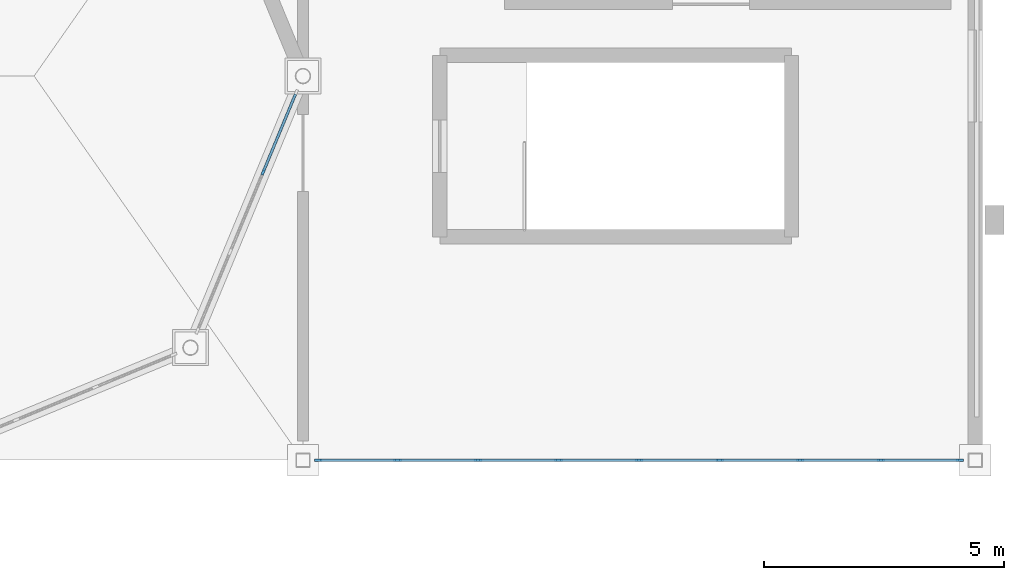
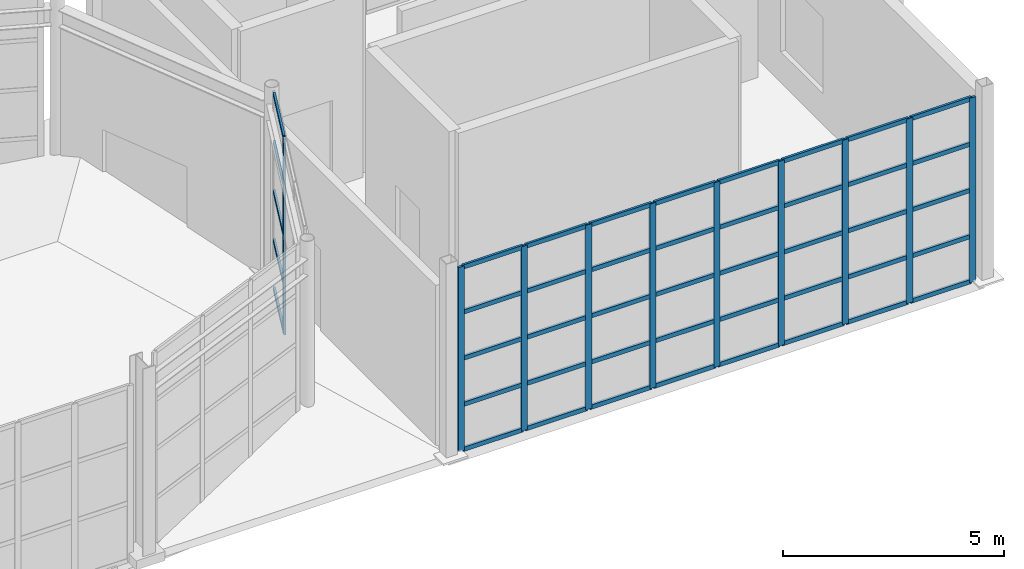
# One storey, part 43 of 82: 55 members, 2 elements without a shape of their own.
"""IFC4 building model written with IfcOpenShell, lengths in metres."""

from ifc_helpers import new_model, si_unit, direction, frame, origin, origin_2d, place, context, subcontext, project, spatial, rectangle, extrude, material, material_profile, profile_set, type_object, element, aggregate, save


model = new_model("IFC4")

# Units and contexts
model_context = context("Model", 3, precision=1e-05, world=origin(), true_north=direction((0.0, 1.0)))
body_context = subcontext(model_context, "Body", "Model", "MODEL_VIEW")
ifc_project = project(units=[si_unit("LENGTHUNIT", "METRE"), si_unit("AREAUNIT", "SQUARE_METRE"), si_unit("VOLUMEUNIT", "CUBIC_METRE"), si_unit("PLANEANGLEUNIT", "RADIAN"), si_unit("MASSUNIT", "GRAM", prefix="KILO")], contexts=[model_context])

# Site, building, storey
site_placement = place(None, origin())
site = spatial("IfcSite", under=ifc_project, at=site_placement, CompositionType="ELEMENT")
building_placement = place(site_placement, origin())
building = spatial("IfcBuilding", under=site, at=building_placement, Name="Serraluz Foothill Cableway Terminal", CompositionType="ELEMENT")
storey_placement = place(building_placement, frame((0.0, 0.0, 9.60009765625)))
storey = spatial("IfcBuildingStorey", under=building, at=storey_placement, Name="L02", CompositionType="ELEMENT", Elevation=9.60009765625)

# Curtain wall, member
ifc_material_1 = material(Name="Architectural bronze alloy C28000", Category="aluminium")
curtain_wall_type_1 = type_object("IfcCurtainWallType", Name="TYP-CW-440X360", PredefinedType="NOTDEFINED", material=ifc_material_1)
curtain_wall_1_placement = place(storey_placement, origin())
curtain_wall_1 = element("IfcCurtainWall", 1, at=curtain_wall_1_placement, inside=storey, type_object=curtain_wall_type_1, Name="Ribbed Glazed Curtain Wall CW-V1-E-L02-3", PredefinedType="NOTDEFINED")
ifc_material_2 = material(Name="Extruded aluminium 6063-T6", Category="aluminium")
ifc_material_profile_1 = material_profile(ifc_material_2, rectangle(XDim=0.054931640625, YDim=0.139892578125, at=origin_2d()), Name="ALU MULLION 55x140")
ifc_profile_set_1 = profile_set([ifc_material_profile_1], Name="Extruded aluminium 6063-T6")
member_type_1 = type_object("IfcMemberType", Name="TYP-CW-MUL-55X140", PredefinedType="MULLION", material=ifc_profile_set_1)
member_1_placement = place(storey_placement, frame((159.174072265625, 62.006103515625, 0.0), z_axis=(0.0, 0.0, 1.0), x_axis=(0.923878982655, -0.382684759834, 0.0)))
member_1 = element("IfcMember", 2, at=member_1_placement, type_object=member_type_1, Name="CW-16 mullion 2", PredefinedType="MULLION", context=body_context, shape_type="SweptSolid", body=[
    extrude(rectangle(XDim=0.054931640625, YDim=0.139892578125, at=origin_2d()), origin(), (0.0, 0.0, 1.0), 5.419921875),
])

# Curtain wall, members
curtain_wall_type_2 = type_object("IfcCurtainWallType", Name="TYP-CW-1280X440", PredefinedType="NOTDEFINED", material=ifc_material_1)
curtain_wall_2_placement = place(storey_placement, origin())
curtain_wall_2 = element("IfcCurtainWall", 3, at=curtain_wall_2_placement, inside=storey, type_object=curtain_wall_type_2, Name="Ribbed Glazed Curtain Wall CW-V2S-L02", PredefinedType="NOTDEFINED")
ifc_material_profile_2 = material_profile(ifc_material_1, rectangle(XDim=0.06005859375, YDim=0.159912109375, at=origin_2d()), Name="ALU MULLION 60x160")
ifc_profile_set_2 = profile_set([ifc_material_profile_2], Name="Architectural bronze alloy C28000")
member_type_2 = type_object("IfcMemberType", Name="TYP-CW-MUL-60X160", PredefinedType="MULLION", material=ifc_profile_set_2)
member_2_placement = place(storey_placement, frame((173.679931640625, 56.0, 0.0), z_axis=(0.0, 0.0, 1.0), x_axis=(0.0, -1.0, 0.0)))
member_2 = element("IfcMember", 4, at=member_2_placement, type_object=member_type_2, Name="CW-22 mullion 1", PredefinedType="MULLION", context=body_context, shape_type="SweptSolid", body=[
    extrude(rectangle(XDim=0.06005859375, YDim=0.159912109375, at=origin_2d()), origin(), (0.0, 0.0, 1.0), 5.099853515625),
])
member_3_placement = place(storey_placement, frame((172.032470703125, 56.0, 0.0), z_axis=(0.0, 0.0, 1.0), x_axis=(0.0, -1.0, 0.0)))
member_3 = element("IfcMember", 5, at=member_3_placement, type_object=member_type_2, Name="CW-22 mullion 2", PredefinedType="MULLION", context=body_context, shape_type="SweptSolid", body=[
    extrude(rectangle(XDim=0.06005859375, YDim=0.159912109375, at=origin_2d()), origin(), (0.0, 0.0, 1.0), 5.099853515625),
])
member_4_placement = place(storey_placement, frame((170.35498046875, 56.0, 0.0), z_axis=(0.0, 0.0, 1.0), x_axis=(0.0, -1.0, 0.0)))
member_4 = element("IfcMember", 6, at=member_4_placement, type_object=member_type_2, Name="CW-22 mullion 3", PredefinedType="MULLION", context=body_context, shape_type="SweptSolid", body=[
    extrude(rectangle(XDim=0.06005859375, YDim=0.159912109375, at=origin_2d()), origin(), (0.0, 0.0, 1.0), 5.099853515625),
])
member_5_placement = place(storey_placement, frame((168.677490234375, 56.0, 0.0), z_axis=(0.0, 0.0, 1.0), x_axis=(0.0, -1.0, 0.0)))
member_5 = element("IfcMember", 7, at=member_5_placement, type_object=member_type_2, Name="CW-22 mullion 4", PredefinedType="MULLION", context=body_context, shape_type="SweptSolid", body=[
    extrude(rectangle(XDim=0.06005859375, YDim=0.159912109375, at=origin_2d()), origin(), (0.0, 0.0, 1.0), 5.099853515625),
])
member_6_placement = place(storey_placement, frame((167.0, 56.0, 0.0), z_axis=(0.0, 0.0, 1.0), x_axis=(0.0, -1.0, 0.0)))
member_6 = element("IfcMember", 8, at=member_6_placement, type_object=member_type_2, Name="CW-22 mullion 5", PredefinedType="MULLION", context=body_context, shape_type="SweptSolid", body=[
    extrude(rectangle(XDim=0.06005859375, YDim=0.159912109375, at=origin_2d()), origin(), (0.0, 0.0, 1.0), 5.099853515625),
])
member_7_placement = place(storey_placement, frame((165.322509765625, 56.0, 0.0), z_axis=(0.0, 0.0, 1.0), x_axis=(0.0, -1.0, 0.0)))
member_7 = element("IfcMember", 9, at=member_7_placement, type_object=member_type_2, Name="CW-22 mullion 6", PredefinedType="MULLION", context=body_context, shape_type="SweptSolid", body=[
    extrude(rectangle(XDim=0.06005859375, YDim=0.159912109375, at=origin_2d()), origin(), (0.0, 0.0, 1.0), 5.099853515625),
])
member_8_placement = place(storey_placement, frame((163.64501953125, 56.0, 0.0), z_axis=(0.0, 0.0, 1.0), x_axis=(0.0, -1.0, 0.0)))
member_8 = element("IfcMember", 10, at=member_8_placement, type_object=member_type_2, Name="CW-22 mullion 7", PredefinedType="MULLION", context=body_context, shape_type="SweptSolid", body=[
    extrude(rectangle(XDim=0.06005859375, YDim=0.159912109375, at=origin_2d()), origin(), (0.0, 0.0, 1.0), 5.099853515625),
])
member_9_placement = place(storey_placement, frame((161.967529296875, 56.0, 0.0), z_axis=(0.0, 0.0, 1.0), x_axis=(0.0, -1.0, 0.0)))
member_9 = element("IfcMember", 11, at=member_9_placement, type_object=member_type_2, Name="CW-22 mullion 8", PredefinedType="MULLION", context=body_context, shape_type="SweptSolid", body=[
    extrude(rectangle(XDim=0.06005859375, YDim=0.159912109375, at=origin_2d()), origin(), (0.0, 0.0, 1.0), 5.099853515625),
])
member_10_placement = place(storey_placement, frame((160.320068359375, 56.0, 0.0), z_axis=(0.0, 0.0, 1.0), x_axis=(0.0, -1.0, 0.0)))
member_10 = element("IfcMember", 12, at=member_10_placement, type_object=member_type_2, Name="CW-22 mullion 9", PredefinedType="MULLION", context=body_context, shape_type="SweptSolid", body=[
    extrude(rectangle(XDim=0.06005859375, YDim=0.159912109375, at=origin_2d()), origin(), (0.0, 0.0, 1.0), 5.099853515625),
])

# Member
ifc_material_profile_3 = material_profile(ifc_material_2, rectangle(XDim=0.054931640625, YDim=0.110107421875, at=origin_2d()), Name="ALU TRANSOM 55x110")
ifc_profile_set_3 = profile_set([ifc_material_profile_3], Name="Extruded aluminium 6063-T6")
member_type_3 = type_object("IfcMemberType", Name="TYP-CW-TRN-55X110", PredefinedType="USERDEFINED", material=ifc_profile_set_3)
member_11_placement = place(storey_placement, frame((159.844482421875, 63.624267578125, 0.02734375), z_axis=(-0.382764500292, -0.92384594891, 0.0), x_axis=(0.92384594891, -0.382764500292, 0.0)))
member_11 = element("IfcMember", 13, at=member_11_placement, type_object=member_type_3, Name="CW-16 transom 1.1", ObjectType="TRANSOM", PredefinedType="USERDEFINED", context=body_context, shape_type="SweptSolid", body=[
    extrude(rectangle(XDim=0.054931640625, YDim=0.110107421875, at=origin_2d()), origin(), (0.0, 0.0, 1.0), 1.72412109375),
])

member_12_placement = place(storey_placement, frame((159.844482421875, 63.624267578125, 1.35498046875), z_axis=(-0.382764500292, -0.92384594891, 0.0), x_axis=(0.92384594891, -0.382764500292, 0.0)))
member_12 = element("IfcMember", 14, at=member_12_placement, type_object=member_type_3, Name="CW-16 transom 1.2", ObjectType="TRANSOM", PredefinedType="USERDEFINED", context=body_context, shape_type="SweptSolid", body=[
    extrude(rectangle(XDim=0.054931640625, YDim=0.110107421875, at=origin_2d()), origin(), (0.0, 0.0, 1.0), 1.72412109375),
])

member_13_placement = place(storey_placement, frame((159.844482421875, 63.624267578125, 2.7099609375), z_axis=(-0.382764500292, -0.92384594891, 0.0), x_axis=(0.92384594891, -0.382764500292, 0.0)))
member_13 = element("IfcMember", 15, at=member_13_placement, type_object=member_type_3, Name="CW-16 transom 1.3", ObjectType="TRANSOM", PredefinedType="USERDEFINED", context=body_context, shape_type="SweptSolid", body=[
    extrude(rectangle(XDim=0.054931640625, YDim=0.110107421875, at=origin_2d()), origin(), (0.0, 0.0, 1.0), 1.72412109375),
])

member_14_placement = place(storey_placement, frame((159.844482421875, 63.624267578125, 4.06494140625), z_axis=(-0.382764500292, -0.92384594891, 0.0), x_axis=(0.92384594891, -0.382764500292, 0.0)))
member_14 = element("IfcMember", 16, at=member_14_placement, type_object=member_type_3, Name="CW-16 transom 1.4", ObjectType="TRANSOM", PredefinedType="USERDEFINED", context=body_context, shape_type="SweptSolid", body=[
    extrude(rectangle(XDim=0.054931640625, YDim=0.110107421875, at=origin_2d()), origin(), (0.0, 0.0, 1.0), 1.72412109375),
])

member_15_placement = place(storey_placement, frame((159.844482421875, 63.624267578125, 5.392333984375), z_axis=(-0.382764500292, -0.92384594891, 0.0), x_axis=(0.92384594891, -0.382764500292, 0.0)))
member_15 = element("IfcMember", 17, at=member_15_placement, type_object=member_type_3, Name="CW-16 transom 1.5", ObjectType="TRANSOM", PredefinedType="USERDEFINED", context=body_context, shape_type="SweptSolid", body=[
    extrude(rectangle(XDim=0.054931640625, YDim=0.110107421875, at=origin_2d()), origin(), (0.0, 0.0, 1.0), 1.72412109375),
])

aggregate(curtain_wall_1, [member_1, member_11, member_12, member_13, member_14, member_15])

ifc_material_profile_4 = material_profile(ifc_material_1, rectangle(XDim=0.06005859375, YDim=0.1201171875, at=origin_2d()), Name="ALU TRANSOM 60x120")
ifc_profile_set_4 = profile_set([ifc_material_profile_4], Name="Architectural bronze alloy C28000")
member_type_4 = type_object("IfcMemberType", Name="TYP-CW-TRN-60X120", PredefinedType="USERDEFINED", material=ifc_profile_set_4)
member_16_placement = place(storey_placement, frame((173.64990234375, 56.0, 0.02978515625), z_axis=(-1.0, 0.0, 0.0), x_axis=(0.0, -1.0, 0.0)))
member_16 = element("IfcMember", 18, at=member_16_placement, type_object=member_type_4, Name="CW-22 transom 1.1", ObjectType="TRANSOM", PredefinedType="USERDEFINED", context=body_context, shape_type="SweptSolid", body=[
    extrude(rectangle(XDim=0.06005859375, YDim=0.1201171875, at=origin_2d()), origin(), (0.0, 0.0, 1.0), 1.58740234375),
])

member_17_placement = place(storey_placement, frame((173.64990234375, 56.0, 1.27490234375), z_axis=(-1.0, 0.0, 0.0), x_axis=(0.0, -1.0, 0.0)))
member_17 = element("IfcMember", 19, at=member_17_placement, type_object=member_type_4, Name="CW-22 transom 1.2", ObjectType="TRANSOM", PredefinedType="USERDEFINED", context=body_context, shape_type="SweptSolid", body=[
    extrude(rectangle(XDim=0.06005859375, YDim=0.1201171875, at=origin_2d()), origin(), (0.0, 0.0, 1.0), 1.58740234375),
])

member_18_placement = place(storey_placement, frame((173.64990234375, 56.0, 2.5498046875), z_axis=(-1.0, 0.0, 0.0), x_axis=(0.0, -1.0, 0.0)))
member_18 = element("IfcMember", 20, at=member_18_placement, type_object=member_type_4, Name="CW-22 transom 1.3", ObjectType="TRANSOM", PredefinedType="USERDEFINED", context=body_context, shape_type="SweptSolid", body=[
    extrude(rectangle(XDim=0.06005859375, YDim=0.1201171875, at=origin_2d()), origin(), (0.0, 0.0, 1.0), 1.58740234375),
])

member_19_placement = place(storey_placement, frame((173.64990234375, 56.0, 3.824951171875), z_axis=(-1.0, 0.0, 0.0), x_axis=(0.0, -1.0, 0.0)))
member_19 = element("IfcMember", 21, at=member_19_placement, type_object=member_type_4, Name="CW-22 transom 1.4", ObjectType="TRANSOM", PredefinedType="USERDEFINED", context=body_context, shape_type="SweptSolid", body=[
    extrude(rectangle(XDim=0.06005859375, YDim=0.1201171875, at=origin_2d()), origin(), (0.0, 0.0, 1.0), 1.58740234375),
])

member_20_placement = place(storey_placement, frame((173.64990234375, 56.0, 5.06982421875), z_axis=(-1.0, 0.0, 0.0), x_axis=(0.0, -1.0, 0.0)))
member_20 = element("IfcMember", 22, at=member_20_placement, type_object=member_type_4, Name="CW-22 transom 1.5", ObjectType="TRANSOM", PredefinedType="USERDEFINED", context=body_context, shape_type="SweptSolid", body=[
    extrude(rectangle(XDim=0.06005859375, YDim=0.1201171875, at=origin_2d()), origin(), (0.0, 0.0, 1.0), 1.58740234375),
])

member_21_placement = place(storey_placement, frame((172.00244140625, 56.0, 0.02978515625), z_axis=(-1.0, 0.0, 0.0), x_axis=(0.0, -1.0, 0.0)))
member_21 = element("IfcMember", 23, at=member_21_placement, type_object=member_type_4, Name="CW-22 transom 2.1", ObjectType="TRANSOM", PredefinedType="USERDEFINED", context=body_context, shape_type="SweptSolid", body=[
    extrude(rectangle(XDim=0.06005859375, YDim=0.1201171875, at=origin_2d()), origin(), (0.0, 0.0, 1.0), 1.617431640625),
])

member_22_placement = place(storey_placement, frame((172.00244140625, 56.0, 1.27490234375), z_axis=(-1.0, 0.0, 0.0), x_axis=(0.0, -1.0, 0.0)))
member_22 = element("IfcMember", 24, at=member_22_placement, type_object=member_type_4, Name="CW-22 transom 2.2", ObjectType="TRANSOM", PredefinedType="USERDEFINED", context=body_context, shape_type="SweptSolid", body=[
    extrude(rectangle(XDim=0.06005859375, YDim=0.1201171875, at=origin_2d()), origin(), (0.0, 0.0, 1.0), 1.617431640625),
])

member_23_placement = place(storey_placement, frame((172.00244140625, 56.0, 2.5498046875), z_axis=(-1.0, 0.0, 0.0), x_axis=(0.0, -1.0, 0.0)))
member_23 = element("IfcMember", 25, at=member_23_placement, type_object=member_type_4, Name="CW-22 transom 2.3", ObjectType="TRANSOM", PredefinedType="USERDEFINED", context=body_context, shape_type="SweptSolid", body=[
    extrude(rectangle(XDim=0.06005859375, YDim=0.1201171875, at=origin_2d()), origin(), (0.0, 0.0, 1.0), 1.617431640625),
])

member_24_placement = place(storey_placement, frame((172.00244140625, 56.0, 3.824951171875), z_axis=(-1.0, 0.0, 0.0), x_axis=(0.0, -1.0, 0.0)))
member_24 = element("IfcMember", 26, at=member_24_placement, type_object=member_type_4, Name="CW-22 transom 2.4", ObjectType="TRANSOM", PredefinedType="USERDEFINED", context=body_context, shape_type="SweptSolid", body=[
    extrude(rectangle(XDim=0.06005859375, YDim=0.1201171875, at=origin_2d()), origin(), (0.0, 0.0, 1.0), 1.617431640625),
])

member_25_placement = place(storey_placement, frame((172.00244140625, 56.0, 5.06982421875), z_axis=(-1.0, 0.0, 0.0), x_axis=(0.0, -1.0, 0.0)))
member_25 = element("IfcMember", 27, at=member_25_placement, type_object=member_type_4, Name="CW-22 transom 2.5", ObjectType="TRANSOM", PredefinedType="USERDEFINED", context=body_context, shape_type="SweptSolid", body=[
    extrude(rectangle(XDim=0.06005859375, YDim=0.1201171875, at=origin_2d()), origin(), (0.0, 0.0, 1.0), 1.617431640625),
])

member_26_placement = place(storey_placement, frame((170.324951171875, 56.0, 0.02978515625), z_axis=(-1.0, 0.0, 0.0), x_axis=(0.0, -1.0, 0.0)))
member_26 = element("IfcMember", 28, at=member_26_placement, type_object=member_type_4, Name="CW-22 transom 3.1", ObjectType="TRANSOM", PredefinedType="USERDEFINED", context=body_context, shape_type="SweptSolid", body=[
    extrude(rectangle(XDim=0.06005859375, YDim=0.1201171875, at=origin_2d()), origin(), (0.0, 0.0, 1.0), 1.617431640625),
])

member_27_placement = place(storey_placement, frame((170.324951171875, 56.0, 1.27490234375), z_axis=(-1.0, 0.0, 0.0), x_axis=(0.0, -1.0, 0.0)))
member_27 = element("IfcMember", 29, at=member_27_placement, type_object=member_type_4, Name="CW-22 transom 3.2", ObjectType="TRANSOM", PredefinedType="USERDEFINED", context=body_context, shape_type="SweptSolid", body=[
    extrude(rectangle(XDim=0.06005859375, YDim=0.1201171875, at=origin_2d()), origin(), (0.0, 0.0, 1.0), 1.617431640625),
])

member_28_placement = place(storey_placement, frame((170.324951171875, 56.0, 2.5498046875), z_axis=(-1.0, 0.0, 0.0), x_axis=(0.0, -1.0, 0.0)))
member_28 = element("IfcMember", 30, at=member_28_placement, type_object=member_type_4, Name="CW-22 transom 3.3", ObjectType="TRANSOM", PredefinedType="USERDEFINED", context=body_context, shape_type="SweptSolid", body=[
    extrude(rectangle(XDim=0.06005859375, YDim=0.1201171875, at=origin_2d()), origin(), (0.0, 0.0, 1.0), 1.617431640625),
])

member_29_placement = place(storey_placement, frame((170.324951171875, 56.0, 3.824951171875), z_axis=(-1.0, 0.0, 0.0), x_axis=(0.0, -1.0, 0.0)))
member_29 = element("IfcMember", 31, at=member_29_placement, type_object=member_type_4, Name="CW-22 transom 3.4", ObjectType="TRANSOM", PredefinedType="USERDEFINED", context=body_context, shape_type="SweptSolid", body=[
    extrude(rectangle(XDim=0.06005859375, YDim=0.1201171875, at=origin_2d()), origin(), (0.0, 0.0, 1.0), 1.617431640625),
])

member_30_placement = place(storey_placement, frame((170.324951171875, 56.0, 5.06982421875), z_axis=(-1.0, 0.0, 0.0), x_axis=(0.0, -1.0, 0.0)))
member_30 = element("IfcMember", 32, at=member_30_placement, type_object=member_type_4, Name="CW-22 transom 3.5", ObjectType="TRANSOM", PredefinedType="USERDEFINED", context=body_context, shape_type="SweptSolid", body=[
    extrude(rectangle(XDim=0.06005859375, YDim=0.1201171875, at=origin_2d()), origin(), (0.0, 0.0, 1.0), 1.617431640625),
])

member_31_placement = place(storey_placement, frame((168.6474609375, 56.0, 0.02978515625), z_axis=(-1.0, 0.0, 0.0), x_axis=(0.0, -1.0, 0.0)))
member_31 = element("IfcMember", 33, at=member_31_placement, type_object=member_type_4, Name="CW-22 transom 4.1", ObjectType="TRANSOM", PredefinedType="USERDEFINED", context=body_context, shape_type="SweptSolid", body=[
    extrude(rectangle(XDim=0.06005859375, YDim=0.1201171875, at=origin_2d()), origin(), (0.0, 0.0, 1.0), 1.617431640625),
])

member_32_placement = place(storey_placement, frame((168.6474609375, 56.0, 1.27490234375), z_axis=(-1.0, 0.0, 0.0), x_axis=(0.0, -1.0, 0.0)))
member_32 = element("IfcMember", 34, at=member_32_placement, type_object=member_type_4, Name="CW-22 transom 4.2", ObjectType="TRANSOM", PredefinedType="USERDEFINED", context=body_context, shape_type="SweptSolid", body=[
    extrude(rectangle(XDim=0.06005859375, YDim=0.1201171875, at=origin_2d()), origin(), (0.0, 0.0, 1.0), 1.617431640625),
])

member_33_placement = place(storey_placement, frame((168.6474609375, 56.0, 2.5498046875), z_axis=(-1.0, 0.0, 0.0), x_axis=(0.0, -1.0, 0.0)))
member_33 = element("IfcMember", 35, at=member_33_placement, type_object=member_type_4, Name="CW-22 transom 4.3", ObjectType="TRANSOM", PredefinedType="USERDEFINED", context=body_context, shape_type="SweptSolid", body=[
    extrude(rectangle(XDim=0.06005859375, YDim=0.1201171875, at=origin_2d()), origin(), (0.0, 0.0, 1.0), 1.617431640625),
])

member_34_placement = place(storey_placement, frame((168.6474609375, 56.0, 3.824951171875), z_axis=(-1.0, 0.0, 0.0), x_axis=(0.0, -1.0, 0.0)))
member_34 = element("IfcMember", 36, at=member_34_placement, type_object=member_type_4, Name="CW-22 transom 4.4", ObjectType="TRANSOM", PredefinedType="USERDEFINED", context=body_context, shape_type="SweptSolid", body=[
    extrude(rectangle(XDim=0.06005859375, YDim=0.1201171875, at=origin_2d()), origin(), (0.0, 0.0, 1.0), 1.617431640625),
])

member_35_placement = place(storey_placement, frame((168.6474609375, 56.0, 5.06982421875), z_axis=(-1.0, 0.0, 0.0), x_axis=(0.0, -1.0, 0.0)))
member_35 = element("IfcMember", 37, at=member_35_placement, type_object=member_type_4, Name="CW-22 transom 4.5", ObjectType="TRANSOM", PredefinedType="USERDEFINED", context=body_context, shape_type="SweptSolid", body=[
    extrude(rectangle(XDim=0.06005859375, YDim=0.1201171875, at=origin_2d()), origin(), (0.0, 0.0, 1.0), 1.617431640625),
])

member_36_placement = place(storey_placement, frame((166.969970703125, 56.0, 0.02978515625), z_axis=(-1.0, 0.0, 0.0), x_axis=(0.0, -1.0, 0.0)))
member_36 = element("IfcMember", 38, at=member_36_placement, type_object=member_type_4, Name="CW-22 transom 5.1", ObjectType="TRANSOM", PredefinedType="USERDEFINED", context=body_context, shape_type="SweptSolid", body=[
    extrude(rectangle(XDim=0.06005859375, YDim=0.1201171875, at=origin_2d()), origin(), (0.0, 0.0, 1.0), 1.617431640625),
])

member_37_placement = place(storey_placement, frame((166.969970703125, 56.0, 1.27490234375), z_axis=(-1.0, 0.0, 0.0), x_axis=(0.0, -1.0, 0.0)))
member_37 = element("IfcMember", 39, at=member_37_placement, type_object=member_type_4, Name="CW-22 transom 5.2", ObjectType="TRANSOM", PredefinedType="USERDEFINED", context=body_context, shape_type="SweptSolid", body=[
    extrude(rectangle(XDim=0.06005859375, YDim=0.1201171875, at=origin_2d()), origin(), (0.0, 0.0, 1.0), 1.617431640625),
])

member_38_placement = place(storey_placement, frame((166.969970703125, 56.0, 2.5498046875), z_axis=(-1.0, 0.0, 0.0), x_axis=(0.0, -1.0, 0.0)))
member_38 = element("IfcMember", 40, at=member_38_placement, type_object=member_type_4, Name="CW-22 transom 5.3", ObjectType="TRANSOM", PredefinedType="USERDEFINED", context=body_context, shape_type="SweptSolid", body=[
    extrude(rectangle(XDim=0.06005859375, YDim=0.1201171875, at=origin_2d()), origin(), (0.0, 0.0, 1.0), 1.617431640625),
])

member_39_placement = place(storey_placement, frame((166.969970703125, 56.0, 3.824951171875), z_axis=(-1.0, 0.0, 0.0), x_axis=(0.0, -1.0, 0.0)))
member_39 = element("IfcMember", 41, at=member_39_placement, type_object=member_type_4, Name="CW-22 transom 5.4", ObjectType="TRANSOM", PredefinedType="USERDEFINED", context=body_context, shape_type="SweptSolid", body=[
    extrude(rectangle(XDim=0.06005859375, YDim=0.1201171875, at=origin_2d()), origin(), (0.0, 0.0, 1.0), 1.617431640625),
])

member_40_placement = place(storey_placement, frame((166.969970703125, 56.0, 5.06982421875), z_axis=(-1.0, 0.0, 0.0), x_axis=(0.0, -1.0, 0.0)))
member_40 = element("IfcMember", 42, at=member_40_placement, type_object=member_type_4, Name="CW-22 transom 5.5", ObjectType="TRANSOM", PredefinedType="USERDEFINED", context=body_context, shape_type="SweptSolid", body=[
    extrude(rectangle(XDim=0.06005859375, YDim=0.1201171875, at=origin_2d()), origin(), (0.0, 0.0, 1.0), 1.617431640625),
])

member_41_placement = place(storey_placement, frame((165.29248046875, 56.0, 0.02978515625), z_axis=(-1.0, 0.0, 0.0), x_axis=(0.0, -1.0, 0.0)))
member_41 = element("IfcMember", 43, at=member_41_placement, type_object=member_type_4, Name="CW-22 transom 6.1", ObjectType="TRANSOM", PredefinedType="USERDEFINED", context=body_context, shape_type="SweptSolid", body=[
    extrude(rectangle(XDim=0.06005859375, YDim=0.1201171875, at=origin_2d()), origin(), (0.0, 0.0, 1.0), 1.617431640625),
])

member_42_placement = place(storey_placement, frame((165.29248046875, 56.0, 1.27490234375), z_axis=(-1.0, 0.0, 0.0), x_axis=(0.0, -1.0, 0.0)))
member_42 = element("IfcMember", 44, at=member_42_placement, type_object=member_type_4, Name="CW-22 transom 6.2", ObjectType="TRANSOM", PredefinedType="USERDEFINED", context=body_context, shape_type="SweptSolid", body=[
    extrude(rectangle(XDim=0.06005859375, YDim=0.1201171875, at=origin_2d()), origin(), (0.0, 0.0, 1.0), 1.617431640625),
])

member_43_placement = place(storey_placement, frame((165.29248046875, 56.0, 2.5498046875), z_axis=(-1.0, 0.0, 0.0), x_axis=(0.0, -1.0, 0.0)))
member_43 = element("IfcMember", 45, at=member_43_placement, type_object=member_type_4, Name="CW-22 transom 6.3", ObjectType="TRANSOM", PredefinedType="USERDEFINED", context=body_context, shape_type="SweptSolid", body=[
    extrude(rectangle(XDim=0.06005859375, YDim=0.1201171875, at=origin_2d()), origin(), (0.0, 0.0, 1.0), 1.617431640625),
])

member_44_placement = place(storey_placement, frame((165.29248046875, 56.0, 3.824951171875), z_axis=(-1.0, 0.0, 0.0), x_axis=(0.0, -1.0, 0.0)))
member_44 = element("IfcMember", 46, at=member_44_placement, type_object=member_type_4, Name="CW-22 transom 6.4", ObjectType="TRANSOM", PredefinedType="USERDEFINED", context=body_context, shape_type="SweptSolid", body=[
    extrude(rectangle(XDim=0.06005859375, YDim=0.1201171875, at=origin_2d()), origin(), (0.0, 0.0, 1.0), 1.617431640625),
])

member_45_placement = place(storey_placement, frame((165.29248046875, 56.0, 5.06982421875), z_axis=(-1.0, 0.0, 0.0), x_axis=(0.0, -1.0, 0.0)))
member_45 = element("IfcMember", 47, at=member_45_placement, type_object=member_type_4, Name="CW-22 transom 6.5", ObjectType="TRANSOM", PredefinedType="USERDEFINED", context=body_context, shape_type="SweptSolid", body=[
    extrude(rectangle(XDim=0.06005859375, YDim=0.1201171875, at=origin_2d()), origin(), (0.0, 0.0, 1.0), 1.617431640625),
])

member_46_placement = place(storey_placement, frame((163.614990234375, 56.0, 0.02978515625), z_axis=(-1.0, 0.0, 0.0), x_axis=(0.0, -1.0, 0.0)))
member_46 = element("IfcMember", 48, at=member_46_placement, type_object=member_type_4, Name="CW-22 transom 7.1", ObjectType="TRANSOM", PredefinedType="USERDEFINED", context=body_context, shape_type="SweptSolid", body=[
    extrude(rectangle(XDim=0.06005859375, YDim=0.1201171875, at=origin_2d()), origin(), (0.0, 0.0, 1.0), 1.617431640625),
])

member_47_placement = place(storey_placement, frame((163.614990234375, 56.0, 1.27490234375), z_axis=(-1.0, 0.0, 0.0), x_axis=(0.0, -1.0, 0.0)))
member_47 = element("IfcMember", 49, at=member_47_placement, type_object=member_type_4, Name="CW-22 transom 7.2", ObjectType="TRANSOM", PredefinedType="USERDEFINED", context=body_context, shape_type="SweptSolid", body=[
    extrude(rectangle(XDim=0.06005859375, YDim=0.1201171875, at=origin_2d()), origin(), (0.0, 0.0, 1.0), 1.617431640625),
])

member_48_placement = place(storey_placement, frame((163.614990234375, 56.0, 2.5498046875), z_axis=(-1.0, 0.0, 0.0), x_axis=(0.0, -1.0, 0.0)))
member_48 = element("IfcMember", 50, at=member_48_placement, type_object=member_type_4, Name="CW-22 transom 7.3", ObjectType="TRANSOM", PredefinedType="USERDEFINED", context=body_context, shape_type="SweptSolid", body=[
    extrude(rectangle(XDim=0.06005859375, YDim=0.1201171875, at=origin_2d()), origin(), (0.0, 0.0, 1.0), 1.617431640625),
])

member_49_placement = place(storey_placement, frame((163.614990234375, 56.0, 3.824951171875), z_axis=(-1.0, 0.0, 0.0), x_axis=(0.0, -1.0, 0.0)))
member_49 = element("IfcMember", 51, at=member_49_placement, type_object=member_type_4, Name="CW-22 transom 7.4", ObjectType="TRANSOM", PredefinedType="USERDEFINED", context=body_context, shape_type="SweptSolid", body=[
    extrude(rectangle(XDim=0.06005859375, YDim=0.1201171875, at=origin_2d()), origin(), (0.0, 0.0, 1.0), 1.617431640625),
])

member_50_placement = place(storey_placement, frame((163.614990234375, 56.0, 5.06982421875), z_axis=(-1.0, 0.0, 0.0), x_axis=(0.0, -1.0, 0.0)))
member_50 = element("IfcMember", 52, at=member_50_placement, type_object=member_type_4, Name="CW-22 transom 7.5", ObjectType="TRANSOM", PredefinedType="USERDEFINED", context=body_context, shape_type="SweptSolid", body=[
    extrude(rectangle(XDim=0.06005859375, YDim=0.1201171875, at=origin_2d()), origin(), (0.0, 0.0, 1.0), 1.617431640625),
])

member_51_placement = place(storey_placement, frame((161.9375, 56.0, 0.02978515625), z_axis=(-1.0, 0.0, 0.0), x_axis=(0.0, -1.0, 0.0)))
member_51 = element("IfcMember", 53, at=member_51_placement, type_object=member_type_4, Name="CW-22 transom 8.1", ObjectType="TRANSOM", PredefinedType="USERDEFINED", context=body_context, shape_type="SweptSolid", body=[
    extrude(rectangle(XDim=0.06005859375, YDim=0.1201171875, at=origin_2d()), origin(), (0.0, 0.0, 1.0), 1.58740234375),
])

member_52_placement = place(storey_placement, frame((161.9375, 56.0, 1.27490234375), z_axis=(-1.0, 0.0, 0.0), x_axis=(0.0, -1.0, 0.0)))
member_52 = element("IfcMember", 54, at=member_52_placement, type_object=member_type_4, Name="CW-22 transom 8.2", ObjectType="TRANSOM", PredefinedType="USERDEFINED", context=body_context, shape_type="SweptSolid", body=[
    extrude(rectangle(XDim=0.06005859375, YDim=0.1201171875, at=origin_2d()), origin(), (0.0, 0.0, 1.0), 1.58740234375),
])

member_53_placement = place(storey_placement, frame((161.9375, 56.0, 2.5498046875), z_axis=(-1.0, 0.0, 0.0), x_axis=(0.0, -1.0, 0.0)))
member_53 = element("IfcMember", 55, at=member_53_placement, type_object=member_type_4, Name="CW-22 transom 8.3", ObjectType="TRANSOM", PredefinedType="USERDEFINED", context=body_context, shape_type="SweptSolid", body=[
    extrude(rectangle(XDim=0.06005859375, YDim=0.1201171875, at=origin_2d()), origin(), (0.0, 0.0, 1.0), 1.58740234375),
])

member_54_placement = place(storey_placement, frame((161.9375, 56.0, 3.824951171875), z_axis=(-1.0, 0.0, 0.0), x_axis=(0.0, -1.0, 0.0)))
member_54 = element("IfcMember", 56, at=member_54_placement, type_object=member_type_4, Name="CW-22 transom 8.4", ObjectType="TRANSOM", PredefinedType="USERDEFINED", context=body_context, shape_type="SweptSolid", body=[
    extrude(rectangle(XDim=0.06005859375, YDim=0.1201171875, at=origin_2d()), origin(), (0.0, 0.0, 1.0), 1.58740234375),
])

member_55_placement = place(storey_placement, frame((161.9375, 56.0, 5.06982421875), z_axis=(-1.0, 0.0, 0.0), x_axis=(0.0, -1.0, 0.0)))
member_55 = element("IfcMember", 57, at=member_55_placement, type_object=member_type_4, Name="CW-22 transom 8.5", ObjectType="TRANSOM", PredefinedType="USERDEFINED", context=body_context, shape_type="SweptSolid", body=[
    extrude(rectangle(XDim=0.06005859375, YDim=0.1201171875, at=origin_2d()), origin(), (0.0, 0.0, 1.0), 1.58740234375),
])

aggregate(curtain_wall_2, [member_2, member_3, member_4, member_5, member_6, member_7, member_8, member_9, member_10, member_16, member_17, member_18, member_19, member_20, member_21, member_22, member_23, member_24, member_25, member_26, member_27, member_28, member_29, member_30, member_31, member_32, member_33, member_34, member_35, member_36, member_37, member_38, member_39, member_40, member_41, member_42, member_43, member_44, member_45, member_46, member_47, member_48, member_49, member_50, member_51, member_52, member_53, member_54, member_55])

save(model, "model.ifc")
